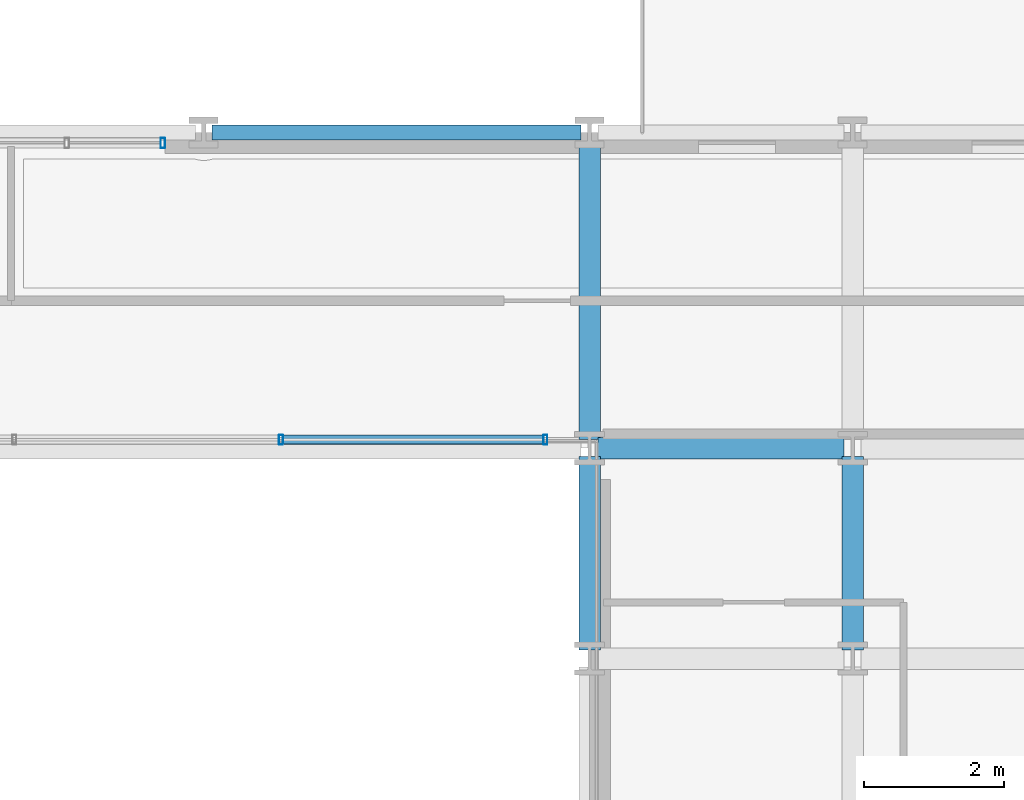
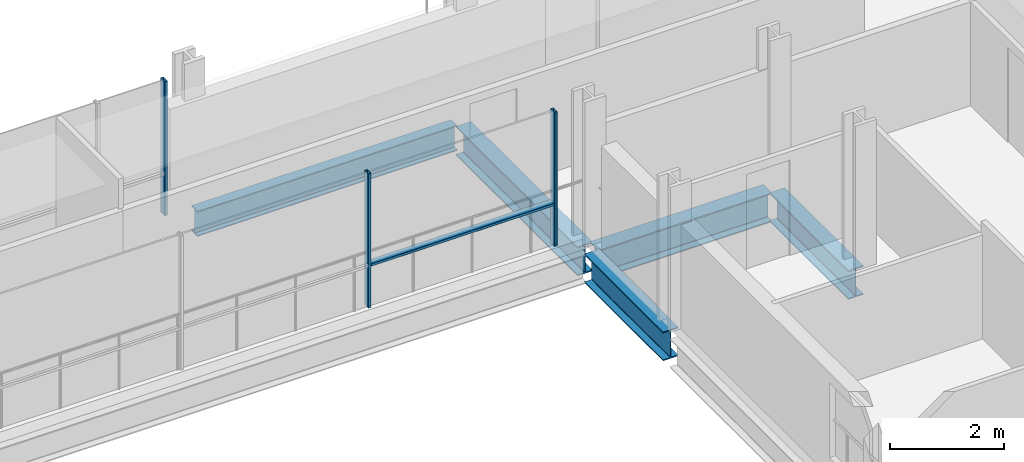
# One storey, part 17 of 38: 5 beams, 4 members, 2 elements without a shape of their own.
"""IFC4 building model written with IfcOpenShell, lengths in metres."""

from ifc_helpers import new_model, si_unit, direction, frame, origin, origin_2d, place, context, subcontext, project, spatial, hollow_rectangle, i_section, extrude, material, layer, layer_set, material_profile, profile_set, type_object, element, aggregate, save


model = new_model("IFC4")

# Units and contexts
model_context = context("Model", 3, precision=1e-05, world=origin(), true_north=direction((0.0, 1.0)))
body_context = subcontext(model_context, "Body", "Model", "MODEL_VIEW")
ifc_project = project(units=[si_unit("LENGTHUNIT", "METRE"), si_unit("AREAUNIT", "SQUARE_METRE"), si_unit("VOLUMEUNIT", "CUBIC_METRE"), si_unit("PLANEANGLEUNIT", "RADIAN"), si_unit("MASSUNIT", "GRAM", prefix="KILO")], contexts=[model_context])

# Site, building, storey
site_placement = place(None, origin())
site = spatial("IfcSite", under=ifc_project, at=site_placement, CompositionType="ELEMENT")
building_placement = place(site_placement, origin())
building = spatial("IfcBuilding", under=site, at=building_placement, Name="Brevholm Reach", CompositionType="ELEMENT")
storey_placement = place(building_placement, frame((0.0, 0.0, 46.60009765625)))
storey = spatial("IfcBuildingStorey", under=building, at=storey_placement, Name="L12", CompositionType="ELEMENT", Elevation=46.60009765625)

# Beams
ifc_material_1 = material(Name="Structural Steel S355J2", Category="steel")
ifc_material_profile_1 = material_profile(ifc_material_1, i_section(OverallWidth=0.210693359375, OverallDepth=0.53955078125, WebThickness=0.01171875, FlangeThickness=0.018798828125, FilletRadius=0.0126953125, at=origin_2d()), Name="UKB 533x210x109")
ifc_profile_set_1 = profile_set([ifc_material_profile_1], Name="Structural Steel S355J2")
beam_type_1 = type_object("IfcBeamType", Name="BM-SP539", PredefinedType="SPANDREL", material=ifc_profile_set_1)
beam_1_placement = place(storey_placement, frame((32.8701171875, 31.0, -0.499755859375), z_axis=(1.0, 0.0, 0.0), x_axis=(0.0, 1.0, 0.0)))
element("IfcBeam", 1, at=beam_1_placement, inside=storey, type_object=beam_type_1, Name="L12 SP-01B Framing Beam", PredefinedType="SPANDREL", context=body_context, shape_type="SweptSolid", body=[
    extrude(i_section(OverallWidth=0.210693359375, OverallDepth=0.53955078125, WebThickness=0.01171875, FlangeThickness=0.018798828125, FilletRadius=0.0126953125, at=origin_2d()), origin(), (0.0, 0.0, 1.0), 5.259765625),
])
ifc_material_2 = material(Name="Structural Steel S355J2", Category="steel")
ifc_material_profile_2 = material_profile(ifc_material_2, i_section(OverallWidth=0.30712890625, OverallDepth=0.6201171875, WebThickness=0.01416015625, FlangeThickness=0.023681640625, FilletRadius=0.0166015625, at=origin_2d()), Name="UKB 610x305x179")
ifc_profile_set_2 = profile_set([ifc_material_profile_2], Name="Structural Steel S355J2")
beam_type_2 = type_object("IfcBeamType", Name="BM-UKB610H", PredefinedType="USERDEFINED", material=ifc_profile_set_2)
beam_2_placement = place(storey_placement, frame((38.3701171875, 26.5, -0.540283203125), z_axis=(1.0, 0.0, 0.0), x_axis=(0.0, 1.0, 0.0)))
element("IfcBeam", 2, at=beam_2_placement, inside=storey, type_object=beam_type_2, Name="L12 G-06 Framing Beam", ObjectType="GIRDER", PredefinedType="USERDEFINED", context=body_context, shape_type="SweptSolid", body=[
    extrude(i_section(OverallWidth=0.30712890625, OverallDepth=0.6201171875, WebThickness=0.01416015625, FlangeThickness=0.023681640625, FilletRadius=0.0166015625, at=origin_2d()), origin(), (0.0, 0.0, 1.0), 3.509765625),
])
beam_3_placement = place(storey_placement, frame((38.25, 23.6201171875, -0.540283203125), z_axis=(0.0, 1.0, 0.0), x_axis=(-1.0, 0.0, 0.0)))
element("IfcBeam", 3, at=beam_3_placement, inside=storey, type_object=beam_type_2, Name="L12 G-06 Framing Beam", ObjectType="GIRDER", PredefinedType="USERDEFINED", context=body_context, shape_type="SweptSolid", body=[
    extrude(i_section(OverallWidth=0.30712890625, OverallDepth=0.6201171875, WebThickness=0.01416015625, FlangeThickness=0.023681640625, FilletRadius=0.0166015625, at=origin_2d()), origin(), (0.0, 0.0, 1.0), 2.759765625),
])
beam_4_placement = place(storey_placement, frame((38.25, 26.6201171875, -0.540283203125), z_axis=(0.0, 1.0, 0.0), x_axis=(-1.0, 0.0, 0.0)))
element("IfcBeam", 4, at=beam_4_placement, inside=storey, type_object=beam_type_2, Name="L12 G-06 Framing Beam", ObjectType="GIRDER", PredefinedType="USERDEFINED", context=body_context, shape_type="SweptSolid", body=[
    extrude(i_section(OverallWidth=0.30712890625, OverallDepth=0.6201171875, WebThickness=0.01416015625, FlangeThickness=0.023681640625, FilletRadius=0.0166015625, at=origin_2d()), origin(), (0.0, 0.0, 1.0), 4.259765625),
])
beam_5_placement = place(storey_placement, frame((42.0, 23.6201171875, -0.540283203125), z_axis=(0.0, 1.0, 0.0), x_axis=(-1.0, 0.0, 0.0)))
element("IfcBeam", 5, at=beam_5_placement, inside=storey, type_object=beam_type_2, Name="L12 G-06 Framing Beam", ObjectType="GIRDER", PredefinedType="USERDEFINED", context=body_context, shape_type="SweptSolid", body=[
    extrude(i_section(OverallWidth=0.30712890625, OverallDepth=0.6201171875, WebThickness=0.01416015625, FlangeThickness=0.023681640625, FilletRadius=0.0166015625, at=origin_2d()), origin(), (0.0, 0.0, 1.0), 2.759765625),
])

# Curtain wall, members
ifc_material_3 = material(Name="Dark Anodised Aluminium 6063-T6 and Solar-Control Glass", Category="aluminium")
ifc_layer_1 = layer(ifc_material_3, 0.139892578125)
ifc_layer_set_1 = layer_set([ifc_layer_1], Name="Dark Anodised Aluminium 6063-T6 and Solar-Control Glass")
curtain_wall_type_1 = type_object("IfcCurtainWallType", Name="CW-02", PredefinedType="NOTDEFINED", material=ifc_layer_set_1)
curtain_wall_1_placement = place(storey_placement, origin())
curtain_wall_1 = element("IfcCurtainWall", 6, at=curtain_wall_1_placement, inside=storey, type_object=curtain_wall_type_1, Name="L12 Curtain Wall CW-02", PredefinedType="NOTDEFINED")
ifc_material_4 = material(Name="Dark Anodised Aluminium 6063-T6", Category="aluminium")
ifc_material_profile_3 = material_profile(ifc_material_4, hollow_rectangle(XDim=0.06005859375, YDim=0.139892578125, WallThickness=0.0048828125, InnerFilletRadius=0.0048828125, OuterFilletRadius=0.010009765625, at=origin_2d()), Name="RHS 140x60x5")
ifc_profile_set_3 = profile_set([ifc_material_profile_3], Name="Dark Anodised Aluminium 6063-T6")
member_type_1 = type_object("IfcMemberType", Name="CWM-140", PredefinedType="MULLION", material=ifc_profile_set_3)
member_1_placement = place(storey_placement, frame((37.6201171875, 26.6201171875, 0.0), z_axis=(0.0, 0.0, 1.0), x_axis=(-1.0, 0.0, 0.0)))
member_1 = element("IfcMember", 7, at=member_1_placement, type_object=member_type_1, Name="CM-140 Mullion 1", PredefinedType="MULLION", context=body_context, shape_type="SweptSolid", body=[
    extrude(hollow_rectangle(XDim=0.06005859375, YDim=0.139892578125, WallThickness=0.0048828125, InnerFilletRadius=0.0048828125, OuterFilletRadius=0.010009765625, at=origin_2d()), origin(), (0.0, 0.0, 1.0), 2.869873046875),
])
member_2_placement = place(storey_placement, frame((33.85009765625, 26.6201171875, 0.0), z_axis=(0.0, 0.0, 1.0), x_axis=(-1.0, 0.0, 0.0)))
member_2 = element("IfcMember", 8, at=member_2_placement, type_object=member_type_1, Name="CM-140 Mullion 2", PredefinedType="MULLION", context=body_context, shape_type="SweptSolid", body=[
    extrude(hollow_rectangle(XDim=0.06005859375, YDim=0.139892578125, WallThickness=0.0048828125, InnerFilletRadius=0.0048828125, OuterFilletRadius=0.010009765625, at=origin_2d()), origin(), (0.0, 0.0, 1.0), 2.869873046875),
])

# Curtain wall, member
ifc_material_5 = material(Name="Dark Anodised Aluminium 6063-T6 and Solar-Control Glass", Category="aluminium")
ifc_layer_2 = layer(ifc_material_5, 0.14990234375)
ifc_layer_set_2 = layer_set([ifc_layer_2], Name="Dark Anodised Aluminium 6063-T6 and Solar-Control Glass")
curtain_wall_type_2 = type_object("IfcCurtainWallType", Name="CW-01", PredefinedType="NOTDEFINED", material=ifc_layer_set_2)
curtain_wall_2_placement = place(storey_placement, origin())
curtain_wall_2 = element("IfcCurtainWall", 9, at=curtain_wall_2_placement, inside=storey, type_object=curtain_wall_type_2, Name="L12 Curtain Wall CW-01", PredefinedType="NOTDEFINED")
ifc_material_6 = material(Name="Dark Anodised Aluminium 6063-T6", Category="aluminium")
ifc_material_profile_4 = material_profile(ifc_material_6, hollow_rectangle(XDim=0.06494140625, YDim=0.14990234375, WallThickness=0.0048828125, InnerFilletRadius=0.0048828125, OuterFilletRadius=0.010009765625, at=origin_2d()), Name="RHS 150x65x5")
ifc_profile_set_4 = profile_set([ifc_material_profile_4], Name="Dark Anodised Aluminium 6063-T6")
member_type_2 = type_object("IfcMemberType", Name="CWM-150", PredefinedType="MULLION", material=ifc_profile_set_4)
member_3_placement = place(storey_placement, frame((32.16748046875, 30.85009765625, 0.0), z_axis=(0.0, 0.0, 1.0), x_axis=(1.0, 0.0, 0.0)))
member_3 = element("IfcMember", 10, at=member_3_placement, type_object=member_type_2, Name="CM-150 Mullion 3", PredefinedType="MULLION", context=body_context, shape_type="SweptSolid", body=[
    extrude(hollow_rectangle(XDim=0.06494140625, YDim=0.14990234375, WallThickness=0.0048828125, InnerFilletRadius=0.0048828125, OuterFilletRadius=0.010009765625, at=origin_2d()), origin(), (0.0, 0.0, 1.0), 2.869873046875),
])
aggregate(curtain_wall_2, [member_3])

# Member
ifc_material_7 = material(Name="Dark Anodised Aluminium 6063-T6", Category="aluminium")
ifc_material_profile_5 = material_profile(ifc_material_7, hollow_rectangle(XDim=0.06005859375, YDim=0.139892578125, WallThickness=0.0048828125, InnerFilletRadius=0.0048828125, OuterFilletRadius=0.010009765625, at=origin_2d()), Name="RHS 140x60x5")
ifc_profile_set_5 = profile_set([ifc_material_profile_5], Name="Dark Anodised Aluminium 6063-T6")
member_type_3 = type_object("IfcMemberType", Name="CWT-140", PredefinedType="NOTDEFINED", material=ifc_profile_set_5)
member_4_placement = place(storey_placement, frame((37.590087890625, 26.6201171875, 0.89990234375), z_axis=(-1.0, 0.0, 0.0), x_axis=(0.0, 0.0, 1.0)))
member_4 = element("IfcMember", 11, at=member_4_placement, type_object=member_type_3, Name="CT-140 Transom 1.1", ObjectType="TRANSOM", PredefinedType="USERDEFINED", context=body_context, shape_type="SweptSolid", body=[
    extrude(hollow_rectangle(XDim=0.06005859375, YDim=0.139892578125, WallThickness=0.0048828125, InnerFilletRadius=0.0048828125, OuterFilletRadius=0.010009765625, at=origin_2d()), origin(), (0.0, 0.0, 1.0), 3.710205078125),
])

aggregate(curtain_wall_1, [member_1, member_2, member_4])

save(model, "model.ifc")
